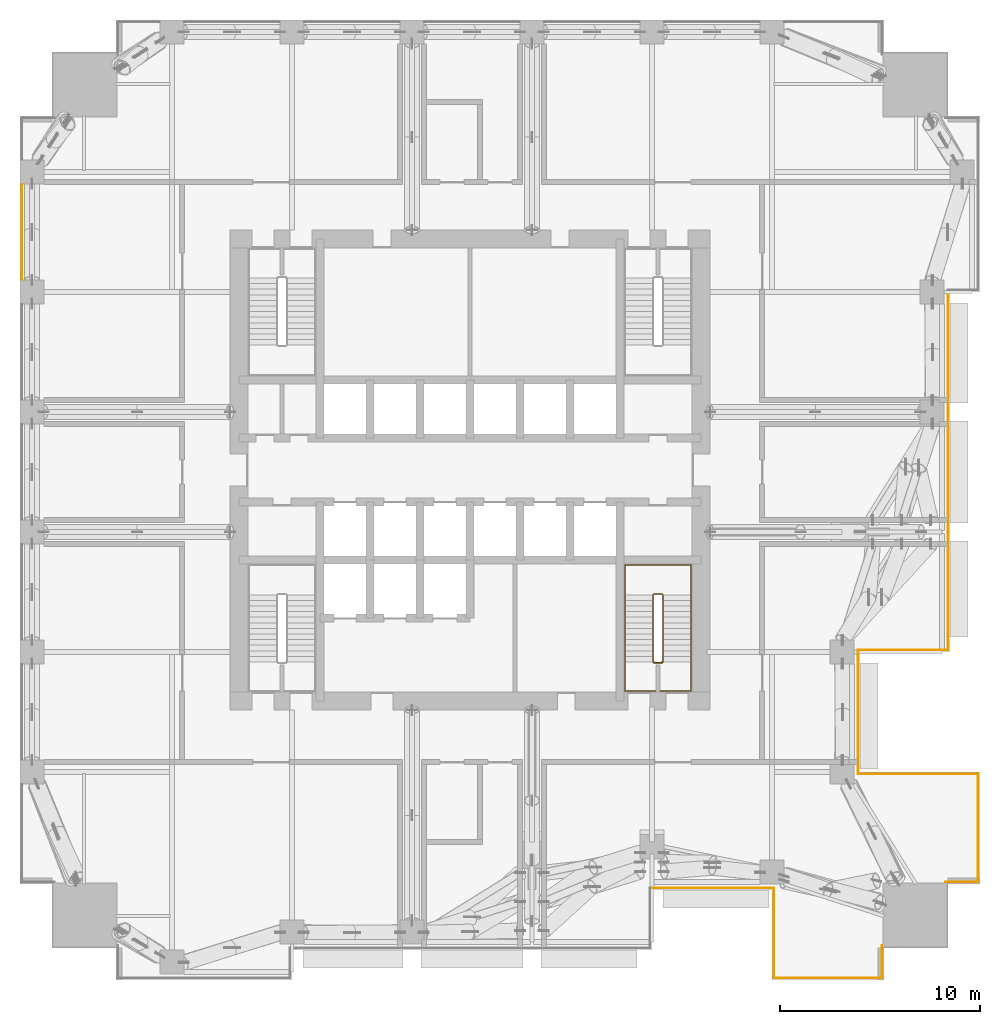
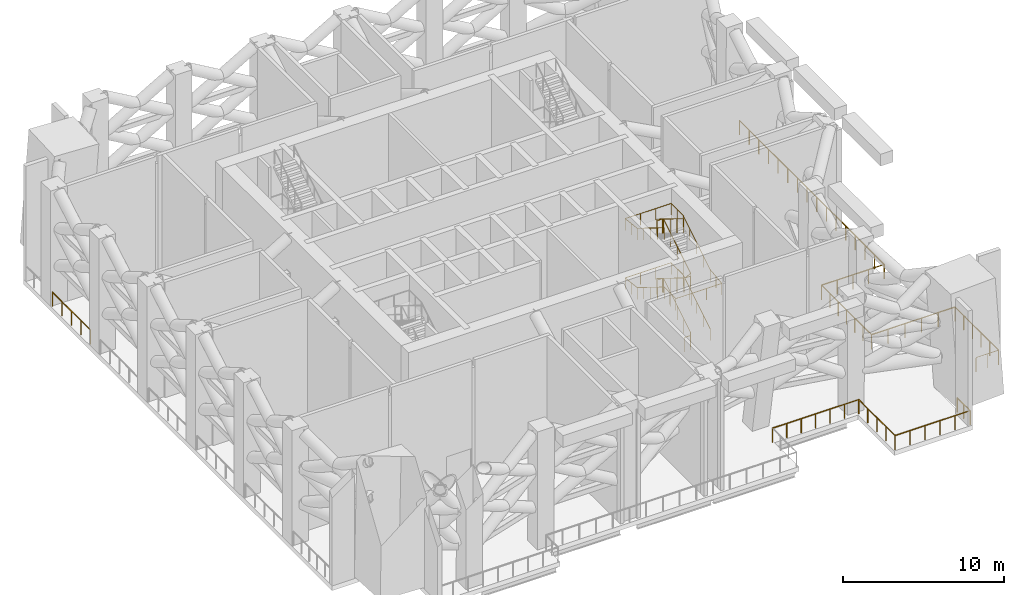
# One storey, part 16 of 18: 13 railings.
"""IFC4 building model written with IfcOpenShell, lengths in metres."""

from ifc_helpers import new_model, si_unit, direction, frame, origin, origin_2d, place, context, subcontext, project, spatial, circle, extrude, material, type_object, element, save


model = new_model("IFC4")

# Units and contexts
model_context = context("Model", 3, precision=1e-05, world=origin(), true_north=direction((0.0, 1.0)))
body_context = subcontext(model_context, "Body", "Model", "MODEL_VIEW")
ifc_project = project(units=[si_unit("LENGTHUNIT", "METRE"), si_unit("AREAUNIT", "SQUARE_METRE"), si_unit("VOLUMEUNIT", "CUBIC_METRE"), si_unit("PLANEANGLEUNIT", "RADIAN"), si_unit("MASSUNIT", "GRAM", prefix="KILO")], contexts=[model_context])

# Site, building, storey
site_placement = place(None, origin())
site = spatial("IfcSite", under=ifc_project, at=site_placement, CompositionType="ELEMENT")
building_placement = place(site_placement, origin())
building = spatial("IfcBuilding", under=site, at=building_placement, Name="Amberfall Residences", CompositionType="ELEMENT")
storey_placement = place(building_placement, frame((0.0, 0.0, 69.699951171875)))
storey = spatial("IfcBuildingStorey", under=building, at=storey_placement, Name="L19", CompositionType="ELEMENT", Elevation=69.699951171875)

# Railings
ifc_material_1 = material(Name="Bronze anodised aluminium and laminated glass", Category="aluminium")
railing_type_1 = type_object("IfcRailingType", Name="Refuge edge guard 1100", PredefinedType="GUARDRAIL", material=ifc_material_1)
railing_1_placement = place(storey_placement, frame((95.10009765625, 20.10009765625, 0.0)))
element("IfcRailing", 1, at=railing_1_placement, inside=storey, type_object=railing_type_1, Name="Refuge edge guard L19 1", PredefinedType="GUARDRAIL", context=body_context, shape_type="SweptSolid", body=[
    extrude(circle(Radius=0.02392578125, at=origin_2d()), frame((0.0, 0.0, 1.076171875), z_axis=(-1.0, 0.0, 0.0), x_axis=(0.0, -1.0, 0.0)), (0.0, 0.0, 1.0), 5.400146484375),
    extrude(circle(Radius=0.02099609375, at=origin_2d()), origin(), (0.0, 0.0, 1.0), 1.052001953125),
    extrude(circle(Radius=0.02099609375, at=origin_2d()), frame((-1.080078125, 0.0, 0.0)), (0.0, 0.0, 1.0), 1.052001953125),
    extrude(circle(Radius=0.02099609375, at=origin_2d()), frame((-2.16015625, 0.0, 0.0)), (0.0, 0.0, 1.0), 1.052001953125),
    extrude(circle(Radius=0.02099609375, at=origin_2d()), frame((-3.239990234375, 0.0, 0.0)), (0.0, 0.0, 1.0), 1.052001953125),
    extrude(circle(Radius=0.02099609375, at=origin_2d()), frame((-4.320068359375, 0.0, 0.0)), (0.0, 0.0, 1.0), 1.052001953125),
    extrude(circle(Radius=0.02099609375, at=origin_2d()), frame((-5.400146484375, 0.0, 0.0)), (0.0, 0.0, 1.0), 1.052001953125),
])
railing_2_placement = place(storey_placement, frame((89.699951171875, 20.10009765625, 0.0)))
element("IfcRailing", 2, at=railing_2_placement, inside=storey, type_object=railing_type_1, Name="Refuge edge guard L19 2", PredefinedType="GUARDRAIL", context=body_context, shape_type="SweptSolid", body=[
    extrude(circle(Radius=0.02392578125, at=origin_2d()), frame((0.0, 0.0, 1.076171875), z_axis=(0.0, 1.0, 0.0), x_axis=(-1.0, 0.0, 0.0)), (0.0, 0.0, 1.0), 4.5),
    extrude(circle(Radius=0.02099609375, at=origin_2d()), origin(), (0.0, 0.0, 1.0), 1.052001953125),
    extrude(circle(Radius=0.02099609375, at=origin_2d()), frame((0.0, 1.125, 0.0)), (0.0, 0.0, 1.0), 1.052001953125),
    extrude(circle(Radius=0.02099609375, at=origin_2d()), frame((0.0, 2.25, 0.0)), (0.0, 0.0, 1.0), 1.052001953125),
    extrude(circle(Radius=0.02099609375, at=origin_2d()), frame((0.0, 3.375, 0.0)), (0.0, 0.0, 1.0), 1.052001953125),
    extrude(circle(Radius=0.02099609375, at=origin_2d()), frame((0.0, 4.5, 0.0)), (0.0, 0.0, 1.0), 1.052001953125),
])
railing_3_placement = place(storey_placement, frame((89.699951171875, 24.60009765625, 0.0)))
element("IfcRailing", 3, at=railing_3_placement, inside=storey, type_object=railing_type_1, Name="Refuge edge guard L19 3", PredefinedType="GUARDRAIL", context=body_context, shape_type="SweptSolid", body=[
    extrude(circle(Radius=0.02392578125, at=origin_2d()), frame((0.0, 0.0, 1.076171875), z_axis=(-1.0, 0.0, 0.0), x_axis=(0.0, -1.0, 0.0)), (0.0, 0.0, 1.0), 6.199951171875),
    extrude(circle(Radius=0.02099609375, at=origin_2d()), origin(), (0.0, 0.0, 1.0), 1.052001953125),
    extrude(circle(Radius=0.02099609375, at=origin_2d()), frame((-1.033203125, 0.0, 0.0)), (0.0, 0.0, 1.0), 1.052001953125),
    extrude(circle(Radius=0.02099609375, at=origin_2d()), frame((-2.066650390625, 0.0, 0.0)), (0.0, 0.0, 1.0), 1.052001953125),
    extrude(circle(Radius=0.02099609375, at=origin_2d()), frame((-3.10009765625, 0.0, 0.0)), (0.0, 0.0, 1.0), 1.052001953125),
    extrude(circle(Radius=0.02099609375, at=origin_2d()), frame((-4.13330078125, 0.0, 0.0)), (0.0, 0.0, 1.0), 1.052001953125),
    extrude(circle(Radius=0.02099609375, at=origin_2d()), frame((-5.16650390625, 0.0, 0.0)), (0.0, 0.0, 1.0), 1.052001953125),
    extrude(circle(Radius=0.02099609375, at=origin_2d()), frame((-6.199951171875, 0.0, 0.0)), (0.0, 0.0, 1.0), 1.052001953125),
])
railing_4_placement = place(storey_placement, frame((52.10009765625, 55.030029296875, 0.0)))
element("IfcRailing", 4, at=railing_4_placement, inside=storey, type_object=railing_type_1, Name="Refuge edge guard L19 15", PredefinedType="GUARDRAIL", context=body_context, shape_type="SweptSolid", body=[
    extrude(circle(Radius=0.02392578125, at=origin_2d()), frame((0.0, 0.0, 1.076171875), z_axis=(0.0, 1.0, 0.0), x_axis=(-1.0, 0.0, 0.0)), (0.0, 0.0, 1.0), 4.739990234375),
    extrude(circle(Radius=0.02099609375, at=origin_2d()), origin(), (0.0, 0.0, 1.0), 1.052001953125),
    extrude(circle(Radius=0.02099609375, at=origin_2d()), frame((0.0, 1.18505859375, 0.0)), (0.0, 0.0, 1.0), 1.052001953125),
    extrude(circle(Radius=0.02099609375, at=origin_2d()), frame((0.0, 2.3701171875, 0.0)), (0.0, 0.0, 1.0), 1.052001953125),
    extrude(circle(Radius=0.02099609375, at=origin_2d()), frame((0.0, 3.554931640625, 0.0)), (0.0, 0.0, 1.0), 1.052001953125),
    extrude(circle(Radius=0.02099609375, at=origin_2d()), frame((0.0, 4.739990234375, 0.0)), (0.0, 0.0, 1.0), 1.052001953125),
])
railing_5_placement = place(storey_placement, frame((98.39990234375, 54.5, 0.0)))
element("IfcRailing", 5, at=railing_5_placement, inside=storey, type_object=railing_type_1, Name="Refuge edge guard L19 30", PredefinedType="GUARDRAIL", context=body_context, shape_type="SweptSolid", body=[
    extrude(circle(Radius=0.02392578125, at=origin_2d()), frame((0.0, 0.0, 1.076171875), z_axis=(0.0, -1.0, 0.0), x_axis=(1.0, 0.0, 0.0)), (0.0, 0.0, 1.0), 18.0),
    extrude(circle(Radius=0.02099609375, at=origin_2d()), origin(), (0.0, 0.0, 1.0), 1.052001953125),
    extrude(circle(Radius=0.02099609375, at=origin_2d()), frame((0.0, -1.199951171875, 0.0)), (0.0, 0.0, 1.0), 1.052001953125),
    extrude(circle(Radius=0.02099609375, at=origin_2d()), frame((0.0, -2.39990234375, 0.0)), (0.0, 0.0, 1.0), 1.052001953125),
    extrude(circle(Radius=0.02099609375, at=origin_2d()), frame((0.0, -3.60009765625, 0.0)), (0.0, 0.0, 1.0), 1.052001953125),
    extrude(circle(Radius=0.02099609375, at=origin_2d()), frame((0.0, -4.800048828125, 0.0)), (0.0, 0.0, 1.0), 1.052001953125),
    extrude(circle(Radius=0.02099609375, at=origin_2d()), frame((0.0, -6.0, 0.0)), (0.0, 0.0, 1.0), 1.052001953125),
    extrude(circle(Radius=0.02099609375, at=origin_2d()), frame((0.0, -7.199951171875, 0.0)), (0.0, 0.0, 1.0), 1.052001953125),
    extrude(circle(Radius=0.02099609375, at=origin_2d()), frame((0.0, -8.39990234375, 0.0)), (0.0, 0.0, 1.0), 1.052001953125),
    extrude(circle(Radius=0.02099609375, at=origin_2d()), frame((0.0, -9.60009765625, 0.0)), (0.0, 0.0, 1.0), 1.052001953125),
    extrude(circle(Radius=0.02099609375, at=origin_2d()), frame((0.0, -10.800048828125, 0.0)), (0.0, 0.0, 1.0), 1.052001953125),
    extrude(circle(Radius=0.02099609375, at=origin_2d()), frame((0.0, -12.0, 0.0)), (0.0, 0.0, 1.0), 1.052001953125),
    extrude(circle(Radius=0.02099609375, at=origin_2d()), frame((0.0, -13.199951171875, 0.0)), (0.0, 0.0, 1.0), 1.052001953125),
    extrude(circle(Radius=0.02099609375, at=origin_2d()), frame((0.0, -14.39990234375, 0.0)), (0.0, 0.0, 1.0), 1.052001953125),
    extrude(circle(Radius=0.02099609375, at=origin_2d()), frame((0.0, -15.60009765625, 0.0)), (0.0, 0.0, 1.0), 1.052001953125),
    extrude(circle(Radius=0.02099609375, at=origin_2d()), frame((0.0, -16.800048828125, 0.0)), (0.0, 0.0, 1.0), 1.052001953125),
    extrude(circle(Radius=0.02099609375, at=origin_2d()), frame((0.0, -18.0, 0.0)), (0.0, 0.0, 1.0), 1.052001953125),
])
railing_6_placement = place(storey_placement, frame((98.39990234375, 36.5, 0.0)))
element("IfcRailing", 6, at=railing_6_placement, inside=storey, type_object=railing_type_1, Name="Refuge edge guard L19 31", PredefinedType="GUARDRAIL", context=body_context, shape_type="SweptSolid", body=[
    extrude(circle(Radius=0.02392578125, at=origin_2d()), frame((0.0, 0.0, 1.076171875), z_axis=(-1.0, 0.0, 0.0), x_axis=(0.0, -1.0, 0.0)), (0.0, 0.0, 1.0), 4.5),
    extrude(circle(Radius=0.02099609375, at=origin_2d()), origin(), (0.0, 0.0, 1.0), 1.052001953125),
    extrude(circle(Radius=0.02099609375, at=origin_2d()), frame((-1.125, 0.0, 0.0)), (0.0, 0.0, 1.0), 1.052001953125),
    extrude(circle(Radius=0.02099609375, at=origin_2d()), frame((-2.25, 0.0, 0.0)), (0.0, 0.0, 1.0), 1.052001953125),
    extrude(circle(Radius=0.02099609375, at=origin_2d()), frame((-3.375, 0.0, 0.0)), (0.0, 0.0, 1.0), 1.052001953125),
    extrude(circle(Radius=0.02099609375, at=origin_2d()), frame((-4.5, 0.0, 0.0)), (0.0, 0.0, 1.0), 1.052001953125),
])
railing_7_placement = place(storey_placement, frame((93.89990234375, 36.5, 0.0)))
element("IfcRailing", 7, at=railing_7_placement, inside=storey, type_object=railing_type_1, Name="Refuge edge guard L19 32", PredefinedType="GUARDRAIL", context=body_context, shape_type="SweptSolid", body=[
    extrude(circle(Radius=0.02392578125, at=origin_2d()), frame((0.0, 0.0, 1.076171875), z_axis=(0.0, -1.0, 0.0), x_axis=(1.0, 0.0, 0.0)), (0.0, 0.0, 1.0), 6.199951171875),
    extrude(circle(Radius=0.02099609375, at=origin_2d()), origin(), (0.0, 0.0, 1.0), 1.052001953125),
    extrude(circle(Radius=0.02099609375, at=origin_2d()), frame((0.0, -1.033203125, 0.0)), (0.0, 0.0, 1.0), 1.052001953125),
    extrude(circle(Radius=0.02099609375, at=origin_2d()), frame((0.0, -2.066650390625, 0.0)), (0.0, 0.0, 1.0), 1.052001953125),
    extrude(circle(Radius=0.02099609375, at=origin_2d()), frame((0.0, -3.10009765625, 0.0)), (0.0, 0.0, 1.0), 1.052001953125),
    extrude(circle(Radius=0.02099609375, at=origin_2d()), frame((0.0, -4.13330078125, 0.0)), (0.0, 0.0, 1.0), 1.052001953125),
    extrude(circle(Radius=0.02099609375, at=origin_2d()), frame((0.0, -5.16650390625, 0.0)), (0.0, 0.0, 1.0), 1.052001953125),
    extrude(circle(Radius=0.02099609375, at=origin_2d()), frame((0.0, -6.199951171875, 0.0)), (0.0, 0.0, 1.0), 1.052001953125),
])
railing_8_placement = place(storey_placement, frame((93.89990234375, 30.300048828125, 0.0)))
element("IfcRailing", 8, at=railing_8_placement, inside=storey, type_object=railing_type_1, Name="Refuge edge guard L19 33", PredefinedType="GUARDRAIL", context=body_context, shape_type="SweptSolid", body=[
    extrude(circle(Radius=0.02392578125, at=origin_2d()), frame((0.0, 0.0, 1.076171875), z_axis=(1.0, 0.0, 0.0), x_axis=(0.0, 1.0, 0.0)), (0.0, 0.0, 1.0), 6.0),
    extrude(circle(Radius=0.02099609375, at=origin_2d()), origin(), (0.0, 0.0, 1.0), 1.052001953125),
    extrude(circle(Radius=0.02099609375, at=origin_2d()), frame((1.199951171875, 0.0, 0.0)), (0.0, 0.0, 1.0), 1.052001953125),
    extrude(circle(Radius=0.02099609375, at=origin_2d()), frame((2.39990234375, 0.0, 0.0)), (0.0, 0.0, 1.0), 1.052001953125),
    extrude(circle(Radius=0.02099609375, at=origin_2d()), frame((3.60009765625, 0.0, 0.0)), (0.0, 0.0, 1.0), 1.052001953125),
    extrude(circle(Radius=0.02099609375, at=origin_2d()), frame((4.800048828125, 0.0, 0.0)), (0.0, 0.0, 1.0), 1.052001953125),
    extrude(circle(Radius=0.02099609375, at=origin_2d()), frame((6.0, 0.0, 0.0)), (0.0, 0.0, 1.0), 1.052001953125),
])
railing_9_placement = place(storey_placement, frame((99.89990234375, 30.300048828125, 0.0)))
element("IfcRailing", 9, at=railing_9_placement, inside=storey, type_object=railing_type_1, Name="Refuge edge guard L19 34", PredefinedType="GUARDRAIL", context=body_context, shape_type="SweptSolid", body=[
    extrude(circle(Radius=0.02392578125, at=origin_2d()), frame((0.0, 0.0, 1.076171875), z_axis=(0.0, -1.0, 0.0), x_axis=(1.0, 0.0, 0.0)), (0.0, 0.0, 1.0), 5.400146484375),
    extrude(circle(Radius=0.02099609375, at=origin_2d()), origin(), (0.0, 0.0, 1.0), 1.052001953125),
    extrude(circle(Radius=0.02099609375, at=origin_2d()), frame((0.0, -1.080078125, 0.0)), (0.0, 0.0, 1.0), 1.052001953125),
    extrude(circle(Radius=0.02099609375, at=origin_2d()), frame((0.0, -2.16015625, 0.0)), (0.0, 0.0, 1.0), 1.052001953125),
    extrude(circle(Radius=0.02099609375, at=origin_2d()), frame((0.0, -3.239990234375, 0.0)), (0.0, 0.0, 1.0), 1.052001953125),
    extrude(circle(Radius=0.02099609375, at=origin_2d()), frame((0.0, -4.320068359375, 0.0)), (0.0, 0.0, 1.0), 1.052001953125),
    extrude(circle(Radius=0.02099609375, at=origin_2d()), frame((0.0, -5.400146484375, 0.0)), (0.0, 0.0, 1.0), 1.052001953125),
])
railing_10_placement = place(storey_placement, frame((99.89990234375, 24.89990234375, 0.0)))
element("IfcRailing", 10, at=railing_10_placement, inside=storey, type_object=railing_type_1, Name="Refuge edge guard L19 35", PredefinedType="GUARDRAIL", context=body_context, shape_type="SweptSolid", body=[
    extrude(circle(Radius=0.02392578125, at=origin_2d()), frame((0.0, 0.0, 1.076171875), z_axis=(-1.0, 0.0, 0.0), x_axis=(0.0, -1.0, 0.0)), (0.0, 0.0, 1.0), 1.608154296875),
    extrude(circle(Radius=0.02099609375, at=origin_2d()), origin(), (0.0, 0.0, 1.0), 1.052001953125),
    extrude(circle(Radius=0.02099609375, at=origin_2d()), frame((-0.80419921875, 0.0, 0.0)), (0.0, 0.0, 1.0), 1.052001953125),
    extrude(circle(Radius=0.02099609375, at=origin_2d()), frame((-1.608154296875, 0.0, 0.0)), (0.0, 0.0, 1.0), 1.052001953125),
])
railing_11_placement = place(storey_placement, frame((95.10009765625, 21.708251953125, 0.0)))
element("IfcRailing", 11, at=railing_11_placement, inside=storey, type_object=railing_type_1, Name="Refuge edge guard L19 36", PredefinedType="GUARDRAIL", context=body_context, shape_type="SweptSolid", body=[
    extrude(circle(Radius=0.02392578125, at=origin_2d()), frame((0.0, 0.0, 1.076171875), z_axis=(0.0, -1.0, 0.0), x_axis=(1.0, 0.0, 0.0)), (0.0, 0.0, 1.0), 1.608154296875),
    extrude(circle(Radius=0.02099609375, at=origin_2d()), origin(), (0.0, 0.0, 1.0), 1.052001953125),
    extrude(circle(Radius=0.02099609375, at=origin_2d()), frame((0.0, -0.80419921875, 0.0)), (0.0, 0.0, 1.0), 1.052001953125),
    extrude(circle(Radius=0.02099609375, at=origin_2d()), frame((0.0, -1.608154296875, 0.0)), (0.0, 0.0, 1.0), 1.052001953125),
])
ifc_material_2 = material(Name="Stainless steel 316", Category="steel")
railing_type_2 = type_object("IfcRailingType", Name="Stair guard 1100", PredefinedType="GUARDRAIL", material=ifc_material_2)
railing_12_placement = place(storey_placement, frame((83.699951171875, 35.85009765625, 0.0)))
element("IfcRailing", 12, at=railing_12_placement, inside=storey, type_object=railing_type_2, Name="L19 stair 2 guard", PredefinedType="GUARDRAIL", context=body_context, shape_type="SweptSolid", body=[
    extrude(circle(Radius=0.02392578125, at=origin_2d()), frame((0.0, 0.0, 1.076171875), z_axis=(1.0, 0.0, 0.0), x_axis=(0.0, 1.0, 0.0)), (0.0, 0.0, 1.0), 0.400146484375),
    extrude(circle(Radius=0.02392578125, at=origin_2d()), frame((0.400146484375, 0.0, 1.076171875), z_axis=(0.26651005591, 0.26651005591, 0.926253086471), x_axis=(-0.707106781187, 0.707106781187, 0.0)), (0.0, 0.0, 1.0), 0.186767578125),
    extrude(circle(Radius=0.02392578125, at=origin_2d()), frame((0.449951171875, 0.0498046875, 1.2490234375), z_axis=(0.0, 0.850623216509, 0.525775754039), x_axis=(-1.0, 0.0, 0.0)), (0.0, 0.0, 1.0), 3.9501953125),
    extrude(circle(Radius=0.02392578125, at=origin_2d()), frame((0.449951171875, 3.409912109375, 3.326171875), z_axis=(-0.705375805398, 0.708833529934, 0.0), x_axis=(-0.708833529934, -0.705375805398, 0.0)), (0.0, 0.0, 1.0), 0.070556640625),
    extrude(circle(Radius=0.02392578125, at=origin_2d()), frame((0.400146484375, 3.4599609375, 3.326171875), z_axis=(-1.0, 0.0, 0.0), x_axis=(0.0, -1.0, 0.0)), (0.0, 0.0, 1.0), 0.400146484375),
    extrude(circle(Radius=0.02392578125, at=origin_2d()), frame((0.0, 3.4599609375, 3.326171875), z_axis=(-0.267629722418, -0.267629722418, 0.925607186314), x_axis=(0.707106781187, -0.707106781187, 0.0)), (0.0, 0.0, 1.0), 0.18701171875),
    extrude(circle(Radius=0.02392578125, at=origin_2d()), frame((-0.050048828125, 3.409912109375, 3.4990234375), z_axis=(0.0, -0.850623216509, 0.525775754039), x_axis=(1.0, 0.0, 0.0)), (0.0, 0.0, 1.0), 3.9501953125),
    extrude(circle(Radius=0.02392578125, at=origin_2d()), frame((-0.050048828125, 0.0498046875, 5.576171875), z_axis=(0.993936208423, -0.109958235639, 0.0), x_axis=(0.109958235639, 0.993936208423, 0.0)), (0.0, 0.0, 1.0), 0.452880859375),
    extrude(circle(Radius=0.02392578125, at=origin_2d()), frame((0.400146484375, 0.0, 5.576171875), z_axis=(-1.0, 0.0, 0.0), x_axis=(0.0, -1.0, 0.0)), (0.0, 0.0, 1.0), 0.400146484375),
    extrude(circle(Radius=0.02392578125, at=origin_2d()), frame((0.0, 0.0, 5.576171875), z_axis=(0.928378540526, 0.102761379418, 0.357146166703), x_axis=(-0.110017176324, 0.993929686101, 0.0)), (0.0, 0.0, 1.0), 0.484619140625),
    extrude(circle(Radius=0.02392578125, at=origin_2d()), frame((0.449951171875, 0.0498046875, 5.7490234375), z_axis=(0.0, 0.850623216509, 0.525775754039), x_axis=(-1.0, 0.0, 0.0)), (0.0, 0.0, 1.0), 3.9501953125),
    extrude(circle(Radius=0.02392578125, at=origin_2d()), frame((0.449951171875, 3.409912109375, 7.826171875), z_axis=(-0.705375805398, 0.708833529934, 0.0), x_axis=(-0.708833529934, -0.705375805398, 0.0)), (0.0, 0.0, 1.0), 0.070556640625),
    extrude(circle(Radius=0.02392578125, at=origin_2d()), frame((0.400146484375, 3.4599609375, 7.826171875), z_axis=(-1.0, 0.0, 0.0), x_axis=(0.0, -1.0, 0.0)), (0.0, 0.0, 1.0), 0.400146484375),
    extrude(circle(Radius=0.02392578125, at=origin_2d()), frame((0.0, 3.4599609375, 7.826171875), z_axis=(-0.267629722418, -0.267629722418, 0.925607186314), x_axis=(0.707106781187, -0.707106781187, 0.0)), (0.0, 0.0, 1.0), 0.18701171875),
    extrude(circle(Radius=0.02392578125, at=origin_2d()), frame((-0.050048828125, 3.409912109375, 7.9990234375), z_axis=(0.0, -0.850623216509, 0.525775754039), x_axis=(1.0, 0.0, 0.0)), (0.0, 0.0, 1.0), 3.9501953125),
    extrude(circle(Radius=0.02099609375, at=origin_2d()), origin(), (0.0, 0.0, 1.0), 1.052001953125),
    extrude(circle(Radius=0.02099609375, at=origin_2d()), frame((0.400146484375, 0.0, 0.0)), (0.0, 0.0, 1.0), 1.052001953125),
    extrude(circle(Radius=0.02099609375, at=origin_2d()), frame((0.449951171875, 0.0498046875, 0.173095703125)), (0.0, 0.0, 1.0), 1.052001953125),
    extrude(circle(Radius=0.02099609375, at=origin_2d()), frame((0.449951171875, 0.889892578125, 0.6923828125)), (0.0, 0.0, 1.0), 1.052001953125),
    extrude(circle(Radius=0.02099609375, at=origin_2d()), frame((0.449951171875, 1.72998046875, 1.21142578125)), (0.0, 0.0, 1.0), 1.052001953125),
    extrude(circle(Radius=0.02099609375, at=origin_2d()), frame((0.449951171875, 2.56982421875, 1.730712890625)), (0.0, 0.0, 1.0), 1.052001953125),
    extrude(circle(Radius=0.02099609375, at=origin_2d()), frame((0.449951171875, 3.409912109375, 2.25)), (0.0, 0.0, 1.0), 1.052001953125),
    extrude(circle(Radius=0.02099609375, at=origin_2d()), frame((0.400146484375, 3.4599609375, 2.25)), (0.0, 0.0, 1.0), 1.052001953125),
    extrude(circle(Radius=0.02099609375, at=origin_2d()), frame((0.0, 3.4599609375, 2.25)), (0.0, 0.0, 1.0), 1.052001953125),
    extrude(circle(Radius=0.02099609375, at=origin_2d()), frame((-0.050048828125, 3.409912109375, 2.423095703125)), (0.0, 0.0, 1.0), 1.052001953125),
    extrude(circle(Radius=0.02099609375, at=origin_2d()), frame((-0.050048828125, 2.56982421875, 2.9423828125)), (0.0, 0.0, 1.0), 1.052001953125),
    extrude(circle(Radius=0.02099609375, at=origin_2d()), frame((-0.050048828125, 1.72998046875, 3.46142578125)), (0.0, 0.0, 1.0), 1.052001953125),
    extrude(circle(Radius=0.02099609375, at=origin_2d()), frame((-0.050048828125, 0.889892578125, 3.980712890625)), (0.0, 0.0, 1.0), 1.052001953125),
    extrude(circle(Radius=0.02099609375, at=origin_2d()), frame((-0.050048828125, 0.0498046875, 4.5)), (0.0, 0.0, 1.0), 1.052001953125),
    extrude(circle(Radius=0.02099609375, at=origin_2d()), frame((0.400146484375, 0.0, 4.5)), (0.0, 0.0, 1.0), 1.052001953125),
    extrude(circle(Radius=0.02099609375, at=origin_2d()), frame((0.0, 0.0, 4.5)), (0.0, 0.0, 1.0), 1.052001953125),
    extrude(circle(Radius=0.02099609375, at=origin_2d()), frame((0.449951171875, 0.0498046875, 4.673095703125)), (0.0, 0.0, 1.0), 1.052001953125),
    extrude(circle(Radius=0.02099609375, at=origin_2d()), frame((0.449951171875, 0.889892578125, 5.1923828125)), (0.0, 0.0, 1.0), 1.052001953125),
    extrude(circle(Radius=0.02099609375, at=origin_2d()), frame((0.449951171875, 1.72998046875, 5.71142578125)), (0.0, 0.0, 1.0), 1.052001953125),
    extrude(circle(Radius=0.02099609375, at=origin_2d()), frame((0.449951171875, 2.56982421875, 6.230712890625)), (0.0, 0.0, 1.0), 1.052001953125),
    extrude(circle(Radius=0.02099609375, at=origin_2d()), frame((0.449951171875, 3.409912109375, 6.75)), (0.0, 0.0, 1.0), 1.052001953125),
    extrude(circle(Radius=0.02099609375, at=origin_2d()), frame((0.400146484375, 3.4599609375, 6.75)), (0.0, 0.0, 1.0), 1.052001953125),
    extrude(circle(Radius=0.02099609375, at=origin_2d()), frame((0.0, 3.4599609375, 6.75)), (0.0, 0.0, 1.0), 1.052001953125),
    extrude(circle(Radius=0.02099609375, at=origin_2d()), frame((-0.050048828125, 3.409912109375, 6.923095703125)), (0.0, 0.0, 1.0), 1.052001953125),
    extrude(circle(Radius=0.02099609375, at=origin_2d()), frame((-0.050048828125, 2.56982421875, 7.4423828125)), (0.0, 0.0, 1.0), 1.052001953125),
    extrude(circle(Radius=0.02099609375, at=origin_2d()), frame((-0.050048828125, 1.72998046875, 7.96142578125)), (0.0, 0.0, 1.0), 1.052001953125),
    extrude(circle(Radius=0.02099609375, at=origin_2d()), frame((-0.050048828125, 0.889892578125, 8.480712890625)), (0.0, 0.0, 1.0), 1.052001953125),
    extrude(circle(Radius=0.02099609375, at=origin_2d()), frame((-0.050048828125, 0.0498046875, 9.0)), (0.0, 0.0, 1.0), 1.052001953125),
])
railing_type_3 = type_object("IfcRailingType", Name="Stair handrail 900", PredefinedType="HANDRAIL", material=ifc_material_2)
railing_13_placement = place(storey_placement, frame((85.550048828125, 35.89990234375, 0.173095703125)))
element("IfcRailing", 13, at=railing_13_placement, inside=storey, type_object=railing_type_3, Name="L19 stair 2 handrail", PredefinedType="HANDRAIL", context=body_context, shape_type="SweptSolid", body=[
    extrude(circle(Radius=0.02392578125, at=origin_2d()), frame((0.0, 0.0, 0.8759765625), z_axis=(0.0, 0.850623216509, 0.525775754039), x_axis=(-1.0, 0.0, 0.0)), (0.0, 0.0, 1.0), 3.9501953125),
    extrude(circle(Radius=0.02392578125, at=origin_2d()), frame((0.0, 3.360107421875, 2.95263671875), z_axis=(0.0, 1.0, 0.0), x_axis=(-1.0, 0.0, 0.0)), (0.0, 0.0, 1.0), 1.489990234375),
    extrude(circle(Radius=0.02392578125, at=origin_2d()), frame((0.0, 4.85009765625, 2.95263671875), z_axis=(-1.0, 0.0, 0.0), x_axis=(0.0, -1.0, 0.0)), (0.0, 0.0, 1.0), 3.300048828125),
    extrude(circle(Radius=0.02392578125, at=origin_2d()), frame((-3.300048828125, 4.85009765625, 2.95263671875), z_axis=(0.0, -0.993319533971, 0.115396288642), x_axis=(1.0, 0.0, 0.0)), (0.0, 0.0, 1.0), 1.5),
    extrude(circle(Radius=0.02392578125, at=origin_2d()), frame((-3.300048828125, 3.360107421875, 3.1259765625), z_axis=(0.0, -0.850623216509, 0.525775754039), x_axis=(1.0, 0.0, 0.0)), (0.0, 0.0, 1.0), 3.9501953125),
    extrude(circle(Radius=0.02392578125, at=origin_2d()), frame((-3.300048828125, 0.0, 5.20263671875), z_axis=(0.0, -1.0, 0.0), x_axis=(1.0, 0.0, 0.0)), (0.0, 0.0, 1.0), 1.449951171875),
    extrude(circle(Radius=0.02392578125, at=origin_2d()), frame((-3.300048828125, -1.449951171875, 5.20263671875), z_axis=(1.0, 0.0, 0.0), x_axis=(0.0, 1.0, 0.0)), (0.0, 0.0, 1.0), 3.300048828125),
    extrude(circle(Radius=0.02392578125, at=origin_2d()), frame((0.0, -1.449951171875, 5.20263671875), z_axis=(0.0, 0.992949436845, 0.118538668248), x_axis=(-1.0, 0.0, 0.0)), (0.0, 0.0, 1.0), 1.460205078125),
    extrude(circle(Radius=0.02392578125, at=origin_2d()), frame((0.0, 0.0, 5.3759765625), z_axis=(0.0, 0.850623216509, 0.525775754039), x_axis=(-1.0, 0.0, 0.0)), (0.0, 0.0, 1.0), 3.9501953125),
    extrude(circle(Radius=0.02392578125, at=origin_2d()), frame((0.0, 3.360107421875, 7.45263671875), z_axis=(0.0, 1.0, 0.0), x_axis=(-1.0, 0.0, 0.0)), (0.0, 0.0, 1.0), 1.489990234375),
    extrude(circle(Radius=0.02392578125, at=origin_2d()), frame((0.0, 4.85009765625, 7.45263671875), z_axis=(-1.0, 0.0, 0.0), x_axis=(0.0, -1.0, 0.0)), (0.0, 0.0, 1.0), 3.300048828125),
    extrude(circle(Radius=0.02392578125, at=origin_2d()), frame((-3.300048828125, 4.85009765625, 7.45263671875), z_axis=(0.0, -0.993319533971, 0.115396288642), x_axis=(1.0, 0.0, 0.0)), (0.0, 0.0, 1.0), 1.5),
    extrude(circle(Radius=0.02392578125, at=origin_2d()), frame((-3.300048828125, 3.360107421875, 7.6259765625), z_axis=(0.0, -0.850623216509, 0.525775754039), x_axis=(1.0, 0.0, 0.0)), (0.0, 0.0, 1.0), 3.9501953125),
    extrude(circle(Radius=0.02099609375, at=origin_2d()), origin(), (0.0, 0.0, 1.0), 0.851806640625),
    extrude(circle(Radius=0.02099609375, at=origin_2d()), frame((0.0, 0.840087890625, 0.519287109375)), (0.0, 0.0, 1.0), 0.851806640625),
    extrude(circle(Radius=0.02099609375, at=origin_2d()), frame((0.0, 1.68017578125, 1.03857421875)), (0.0, 0.0, 1.0), 0.851806640625),
    extrude(circle(Radius=0.02099609375, at=origin_2d()), frame((0.0, 2.52001953125, 1.5576171875)), (0.0, 0.0, 1.0), 0.851806640625),
    extrude(circle(Radius=0.02099609375, at=origin_2d()), frame((0.0, 3.360107421875, 2.076904296875)), (0.0, 0.0, 1.0), 0.851806640625),
    extrude(circle(Radius=0.02099609375, at=origin_2d()), frame((0.0, 4.10498046875, 2.076904296875)), (0.0, 0.0, 1.0), 0.851806640625),
    extrude(circle(Radius=0.02099609375, at=origin_2d()), frame((0.0, 4.85009765625, 2.076904296875)), (0.0, 0.0, 1.0), 0.851806640625),
    extrude(circle(Radius=0.02099609375, at=origin_2d()), frame((-1.10009765625, 4.85009765625, 2.076904296875)), (0.0, 0.0, 1.0), 0.851806640625),
    extrude(circle(Radius=0.02099609375, at=origin_2d()), frame((-2.199951171875, 4.85009765625, 2.076904296875)), (0.0, 0.0, 1.0), 0.851806640625),
    extrude(circle(Radius=0.02099609375, at=origin_2d()), frame((-3.300048828125, 4.85009765625, 2.076904296875)), (0.0, 0.0, 1.0), 0.851806640625),
    extrude(circle(Radius=0.02099609375, at=origin_2d()), frame((-3.300048828125, 4.10498046875, 2.16357421875)), (0.0, 0.0, 1.0), 0.851806640625),
    extrude(circle(Radius=0.02099609375, at=origin_2d()), frame((-3.300048828125, 3.360107421875, 2.25)), (0.0, 0.0, 1.0), 0.851806640625),
    extrude(circle(Radius=0.02099609375, at=origin_2d()), frame((-3.300048828125, 2.52001953125, 2.769287109375)), (0.0, 0.0, 1.0), 0.851806640625),
    extrude(circle(Radius=0.02099609375, at=origin_2d()), frame((-3.300048828125, 1.68017578125, 3.28857421875)), (0.0, 0.0, 1.0), 0.851806640625),
    extrude(circle(Radius=0.02099609375, at=origin_2d()), frame((-3.300048828125, 0.840087890625, 3.8076171875)), (0.0, 0.0, 1.0), 0.851806640625),
    extrude(circle(Radius=0.02099609375, at=origin_2d()), frame((-3.300048828125, 0.0, 4.326904296875)), (0.0, 0.0, 1.0), 0.851806640625),
    extrude(circle(Radius=0.02099609375, at=origin_2d()), frame((-3.300048828125, -0.72509765625, 4.326904296875)), (0.0, 0.0, 1.0), 0.851806640625),
    extrude(circle(Radius=0.02099609375, at=origin_2d()), frame((-3.300048828125, -1.449951171875, 4.326904296875)), (0.0, 0.0, 1.0), 0.851806640625),
    extrude(circle(Radius=0.02099609375, at=origin_2d()), frame((-2.199951171875, -1.449951171875, 4.326904296875)), (0.0, 0.0, 1.0), 0.851806640625),
    extrude(circle(Radius=0.02099609375, at=origin_2d()), frame((-1.10009765625, -1.449951171875, 4.326904296875)), (0.0, 0.0, 1.0), 0.851806640625),
    extrude(circle(Radius=0.02099609375, at=origin_2d()), frame((0.0, -1.449951171875, 4.326904296875)), (0.0, 0.0, 1.0), 0.851806640625),
    extrude(circle(Radius=0.02099609375, at=origin_2d()), frame((0.0, -0.72509765625, 4.41357421875)), (0.0, 0.0, 1.0), 0.851806640625),
    extrude(circle(Radius=0.02099609375, at=origin_2d()), frame((0.0, 0.0, 4.5)), (0.0, 0.0, 1.0), 0.851806640625),
    extrude(circle(Radius=0.02099609375, at=origin_2d()), frame((0.0, 0.840087890625, 5.019287109375)), (0.0, 0.0, 1.0), 0.851806640625),
    extrude(circle(Radius=0.02099609375, at=origin_2d()), frame((0.0, 1.68017578125, 5.53857421875)), (0.0, 0.0, 1.0), 0.851806640625),
    extrude(circle(Radius=0.02099609375, at=origin_2d()), frame((0.0, 2.52001953125, 6.0576171875)), (0.0, 0.0, 1.0), 0.851806640625),
    extrude(circle(Radius=0.02099609375, at=origin_2d()), frame((0.0, 3.360107421875, 6.576904296875)), (0.0, 0.0, 1.0), 0.851806640625),
    extrude(circle(Radius=0.02099609375, at=origin_2d()), frame((0.0, 4.10498046875, 6.576904296875)), (0.0, 0.0, 1.0), 0.851806640625),
    extrude(circle(Radius=0.02099609375, at=origin_2d()), frame((0.0, 4.85009765625, 6.576904296875)), (0.0, 0.0, 1.0), 0.851806640625),
    extrude(circle(Radius=0.02099609375, at=origin_2d()), frame((-1.10009765625, 4.85009765625, 6.576904296875)), (0.0, 0.0, 1.0), 0.851806640625),
    extrude(circle(Radius=0.02099609375, at=origin_2d()), frame((-2.199951171875, 4.85009765625, 6.576904296875)), (0.0, 0.0, 1.0), 0.851806640625),
    extrude(circle(Radius=0.02099609375, at=origin_2d()), frame((-3.300048828125, 4.85009765625, 6.576904296875)), (0.0, 0.0, 1.0), 0.851806640625),
    extrude(circle(Radius=0.02099609375, at=origin_2d()), frame((-3.300048828125, 4.10498046875, 6.66357421875)), (0.0, 0.0, 1.0), 0.851806640625),
    extrude(circle(Radius=0.02099609375, at=origin_2d()), frame((-3.300048828125, 3.360107421875, 6.75)), (0.0, 0.0, 1.0), 0.851806640625),
    extrude(circle(Radius=0.02099609375, at=origin_2d()), frame((-3.300048828125, 2.52001953125, 7.269287109375)), (0.0, 0.0, 1.0), 0.851806640625),
    extrude(circle(Radius=0.02099609375, at=origin_2d()), frame((-3.300048828125, 1.68017578125, 7.78857421875)), (0.0, 0.0, 1.0), 0.851806640625),
    extrude(circle(Radius=0.02099609375, at=origin_2d()), frame((-3.300048828125, 0.840087890625, 8.3076171875)), (0.0, 0.0, 1.0), 0.851806640625),
    extrude(circle(Radius=0.02099609375, at=origin_2d()), frame((-3.300048828125, 0.0, 8.826904296875)), (0.0, 0.0, 1.0), 0.851806640625),
])

save(model, "model.ifc")
